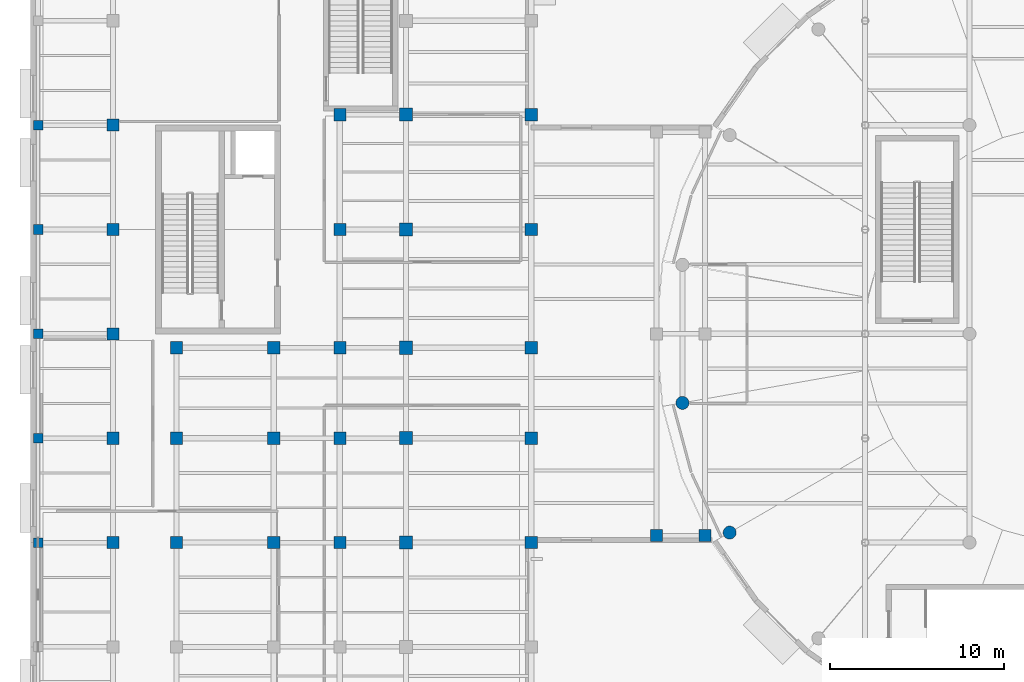
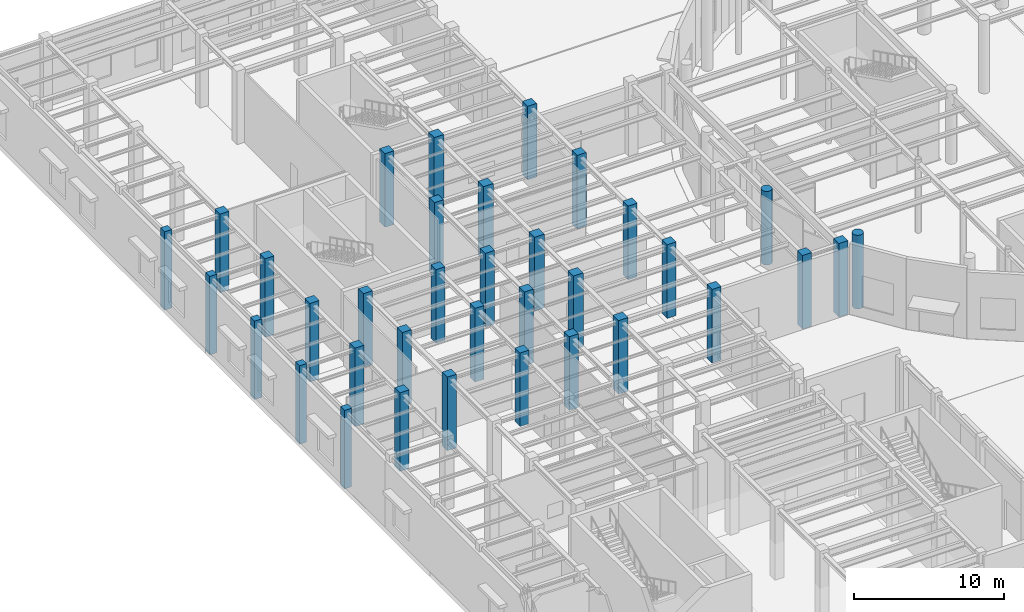
# One storey, part 3 of 118: 35 columns.
"""IFC4 building model written with IfcOpenShell, lengths in metres."""

from ifc_helpers import new_model, si_unit, direction, frame, origin, origin_2d, place, context, subcontext, project, spatial, rectangle, circle, extrude, material, material_profile, profile_set, type_object, element, save


model = new_model("IFC4")

# Units and contexts
model_context = context("Model", 3, precision=1e-05, world=origin(), true_north=direction((0.0, 1.0)))
body_context = subcontext(model_context, "Body", "Model", "MODEL_VIEW")
ifc_project = project(units=[si_unit("LENGTHUNIT", "METRE"), si_unit("AREAUNIT", "SQUARE_METRE"), si_unit("VOLUMEUNIT", "CUBIC_METRE"), si_unit("PLANEANGLEUNIT", "RADIAN"), si_unit("MASSUNIT", "GRAM", prefix="KILO")], contexts=[model_context])

# Site, building, storey
site_placement = place(None, origin())
site = spatial("IfcSite", under=ifc_project, at=site_placement, CompositionType="ELEMENT")
building_placement = place(site_placement, origin())
building = spatial("IfcBuilding", under=site, at=building_placement, Name="Kolvaren Corner Interchange", CompositionType="ELEMENT")
storey_placement = place(building_placement, origin())
storey = spatial("IfcBuildingStorey", under=building, at=storey_placement, Name="L01", CompositionType="ELEMENT", Elevation=0.0)

# Columns
ifc_material_1 = material(Name="Concrete C35/45", Category="concrete")
ifc_material_profile_1 = material_profile(ifc_material_1, rectangle(XDim=0.699951171875, YDim=0.699951171875, at=origin_2d()), Name="RC 700x700")
ifc_profile_set_1 = profile_set([ifc_material_profile_1], Name="Concrete C35/45")
column_type_1 = type_object("IfcColumnType", Name="COL-RC700", PredefinedType="COLUMN", material=ifc_profile_set_1)
for number, where, z_axis, x_axis, name in (
    (1, (4.75, 36.0, -0.39990234375), (0.0, 0.0, 1.0), (1.0, 0.0, 0.0), "Storey L01 Structural Column 0099"),
    (2, (4.75, 42.0, -0.39990234375), (0.0, 0.0, 1.0), (1.0, 0.0, 0.0), "Storey L01 Structural Column 0104"),
    (3, (4.75, 48.0, -0.39990234375), (0.0, 0.0, 1.0), (1.0, 0.0, 0.0), "Storey L01 Structural Column 0109"),
    (4, (4.75, 54.0, -0.39990234375), (0.0, 0.0, 1.0), (1.0, 0.0, 0.0), "Storey L01 Structural Column 0114"),
    (5, (4.75, 60.0, -0.39990234375), (0.0, 0.0, 1.0), (1.0, 0.0, 0.0), "Storey L01 Structural Column 0119"),
):
    element("IfcColumn", number, at=place(storey_placement, frame(where, z_axis=z_axis, x_axis=x_axis)), inside=storey, type_object=column_type_1, Name=name, PredefinedType="COLUMN", context=body_context, shape_type="SweptSolid", body=[
        extrude(rectangle(XDim=0.699951171875, YDim=0.699951171875, at=origin_2d()), origin(), (0.0, 0.0, 1.0), 6.39990234375),
    ])
for number, where, z_axis, x_axis, name in (
    (6, (8.39990234375, 36.0, 0.0), (0.0, 0.0, 1.0), (1.0, 0.0, 0.0), "Storey L01 Structural Column 0231"),
    (7, (8.39990234375, 42.0, 0.0), (0.0, 0.0, 1.0), (1.0, 0.0, 0.0), "Storey L01 Structural Column 0237"),
    (8, (8.39990234375, 47.199951171875, 0.0), (0.0, 0.0, 1.0), (1.0, 0.0, 0.0), "Storey L01 Structural Column 0243"),
    (9, (14.0, 36.0, 0.0), (0.0, 0.0, 1.0), (1.0, 0.0, 0.0), "Storey L01 Structural Column 0267"),
    (10, (14.0, 42.0, 0.0), (0.0, 0.0, 1.0), (1.0, 0.0, 0.0), "Storey L01 Structural Column 0273"),
    (11, (14.0, 47.199951171875, 0.0), (0.0, 0.0, 1.0), (1.0, 0.0, 0.0), "Storey L01 Structural Column 0279"),
    (12, (17.800048828125, 36.0, 0.0), (0.0, 0.0, 1.0), (1.0, 0.0, 0.0), "Storey L01 Structural Column 0303"),
    (13, (17.800048828125, 42.0, 0.0), (0.0, 0.0, 1.0), (1.0, 0.0, 0.0), "Storey L01 Structural Column 0309"),
    (14, (17.800048828125, 47.199951171875, 0.0), (0.0, 0.0, 1.0), (1.0, 0.0, 0.0), "Storey L01 Structural Column 0315"),
    (15, (17.800048828125, 54.0, 0.0), (0.0, 0.0, 1.0), (1.0, 0.0, 0.0), "Storey L01 Structural Column 0321"),
    (16, (17.800048828125, 60.60009765625, 0.0), (0.0, 0.0, 1.0), (1.0, 0.0, 0.0), "Storey L01 Structural Column 0327"),
    (17, (28.800048828125, 36.0, 0.0), (0.0, 0.0, 1.0), (1.0, 0.0, 0.0), "Storey L01 Structural Column 0391"),
    (18, (28.800048828125, 42.0, 0.0), (0.0, 0.0, 1.0), (1.0, 0.0, 0.0), "Storey L01 Structural Column 0395"),
    (19, (28.800048828125, 47.199951171875, 0.0), (0.0, 0.0, 1.0), (1.0, 0.0, 0.0), "Storey L01 Structural Column 0399"),
    (20, (28.800048828125, 54.0, 0.0), (0.0, 0.0, 1.0), (1.0, 0.0, 0.0), "Storey L01 Structural Column 0403"),
    (21, (28.800048828125, 60.60009765625, 0.0), (0.0, 0.0, 1.0), (1.0, 0.0, 0.0), "Storey L01 Structural Column 0407"),
    (22, (36.0, 36.39990234375, 0.0), (0.0, 0.0, 1.0), (1.0, 0.0, 0.0), "Storey L01 Structural Column 0446"),
    (23, (38.800048828125, 36.39990234375, 0.0), (0.0, 0.0, 1.0), (1.0, 0.0, 0.0), "Storey L01 Structural Column 0458"),
):
    element("IfcColumn", number, at=place(storey_placement, frame(where, z_axis=z_axis, x_axis=x_axis)), inside=storey, type_object=column_type_1, Name=name, PredefinedType="COLUMN", context=body_context, shape_type="SweptSolid", body=[
        extrude(rectangle(XDim=0.699951171875, YDim=0.699951171875, at=origin_2d()), origin(), (0.0, 0.0, 1.0), 6.0),
    ])
ifc_material_2 = material(Name="Concrete C40/50", Category="concrete")
ifc_material_profile_2 = material_profile(ifc_material_2, rectangle(XDim=0.75, YDim=0.75, at=origin_2d()), Name="RC 750x750")
ifc_profile_set_2 = profile_set([ifc_material_profile_2], Name="Concrete C40/50")
column_type_2 = type_object("IfcColumnType", Name="COL-RC750", PredefinedType="COLUMN", material=ifc_profile_set_2)
for number, where, z_axis, x_axis, name in (
    (24, (21.60009765625, 36.0, 0.0), (0.0, 0.0, 1.0), (1.0, 0.0, 0.0), "Storey L01 Structural Column 0344"),
    (25, (21.60009765625, 42.0, 0.0), (0.0, 0.0, 1.0), (1.0, 0.0, 0.0), "Storey L01 Structural Column 0350"),
    (26, (21.60009765625, 47.199951171875, 0.0), (0.0, 0.0, 1.0), (1.0, 0.0, 0.0), "Storey L01 Structural Column 0356"),
    (27, (21.60009765625, 54.0, 0.0), (0.0, 0.0, 1.0), (1.0, 0.0, 0.0), "Storey L01 Structural Column 0362"),
    (28, (21.60009765625, 60.60009765625, 0.0), (0.0, 0.0, 1.0), (1.0, 0.0, 0.0), "Storey L01 Structural Column 0368"),
):
    element("IfcColumn", number, at=place(storey_placement, frame(where, z_axis=z_axis, x_axis=x_axis)), inside=storey, type_object=column_type_2, Name=name, PredefinedType="COLUMN", context=body_context, shape_type="SweptSolid", body=[
        extrude(rectangle(XDim=0.75, YDim=0.75, at=origin_2d()), origin(), (0.0, 0.0, 1.0), 6.0),
    ])
ifc_material_3 = material(Name="Concrete C35/45", Category="concrete")
ifc_material_profile_3 = material_profile(ifc_material_3, circle(Radius=0.375, at=origin_2d()), Name="RC COL D750")
ifc_profile_set_3 = profile_set([ifc_material_profile_3], Name="Concrete C35/45")
column_type_3 = type_object("IfcColumnType", Name="COL-RCD750", PredefinedType="COLUMN", material=ifc_profile_set_3)
for number, where, z_axis, x_axis, name in (
    (29, (37.4970703125, 44.031982421875, 0.0), (0.0, 0.0, 1.0), (1.0, 0.0, 0.0), "Storey L01 Structural Column 0800"),
    (30, (40.2109375, 36.574951171875, 0.0), (0.0, 0.0, 1.0), (1.0, 0.0, 0.0), "Storey L01 Structural Column 0804"),
):
    element("IfcColumn", number, at=place(storey_placement, frame(where, z_axis=z_axis, x_axis=x_axis)), inside=storey, type_object=column_type_3, Name=name, PredefinedType="COLUMN", context=body_context, shape_type="SweptSolid", body=[
        extrude(circle(Radius=0.375, at=origin_2d()), origin(), (0.0, 0.0, 1.0), 6.0),
    ])
ifc_material_4 = material(Name="Concrete C35/45", Category="concrete")
ifc_material_profile_4 = material_profile(ifc_material_4, rectangle(XDim=0.550048828125, YDim=0.550048828125, at=origin_2d()), Name="RC 550x550")
ifc_profile_set_4 = profile_set([ifc_material_profile_4], Name="Concrete C35/45")
column_type_4 = type_object("IfcColumnType", Name="PIL-RC550", PredefinedType="PILASTER", material=ifc_profile_set_4)
for number, where, z_axis, x_axis, name in (
    (31, (0.449951171875, 36.0, -0.39990234375), (0.0, 0.0, 1.0), (1.0, 0.0, 0.0), "Storey L01 Structural Column 0031"),
    (32, (0.449951171875, 42.0, -0.39990234375), (0.0, 0.0, 1.0), (1.0, 0.0, 0.0), "Storey L01 Structural Column 0036"),
    (33, (0.449951171875, 48.0, -0.39990234375), (0.0, 0.0, 1.0), (1.0, 0.0, 0.0), "Storey L01 Structural Column 0041"),
    (34, (0.449951171875, 54.0, -0.39990234375), (0.0, 0.0, 1.0), (1.0, 0.0, 0.0), "Storey L01 Structural Column 0046"),
    (35, (0.449951171875, 60.0, -0.39990234375), (0.0, 0.0, 1.0), (1.0, 0.0, 0.0), "Storey L01 Structural Column 0051"),
):
    element("IfcColumn", number, at=place(storey_placement, frame(where, z_axis=z_axis, x_axis=x_axis)), inside=storey, type_object=column_type_4, Name=name, PredefinedType="PILASTER", context=body_context, shape_type="SweptSolid", body=[
        extrude(rectangle(XDim=0.550048828125, YDim=0.550048828125, at=origin_2d()), origin(), (0.0, 0.0, 1.0), 6.39990234375),
    ])

save(model, "model.ifc")
